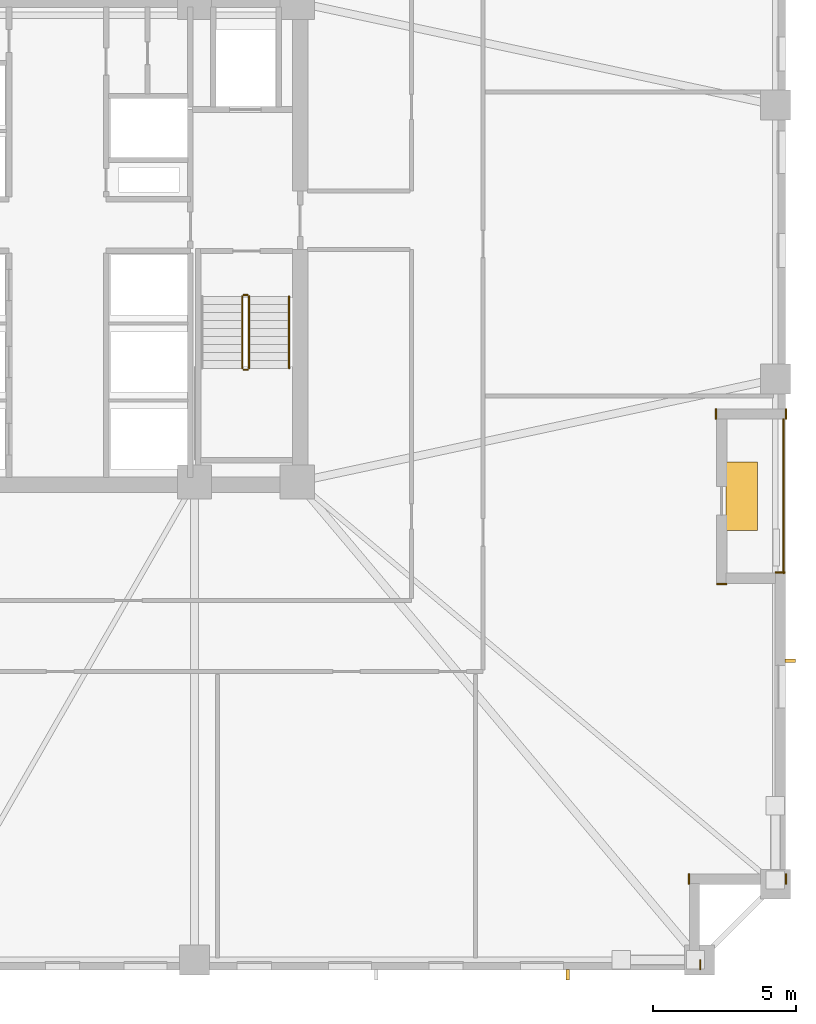
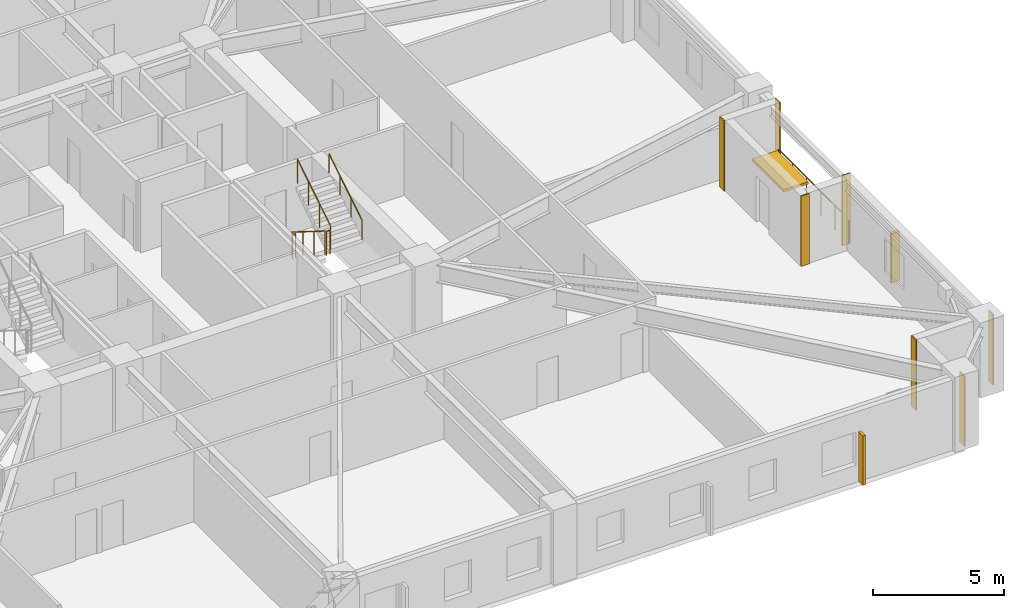
# One storey, part 9 of 11: 7 coverings, 6 railings, 3 shading devices.
"""IFC4 building model written with IfcOpenShell, lengths in metres."""

import ifcopenshell
import ifcopenshell.guid

model = None  # the IFC model being written
_history = None  # IfcOwnerHistory: only IFC2X3 demands one
_inside = {}  # id of a spatial element -> (the spatial element, [elements in it])
_under = {}  # id of a project, library or spatial element -> (it, [spatial elements below it])
_declared = {}  # id of a project -> (the project, [libraries it declares])
_typed = {}  # id of a type object -> (the type object, [elements of that type])
_made_of = {}  # id of a material, layer set ... -> (it, [elements and type objects made of it])


def new_model(schema):
    """Start an empty IFC model of exactly this schema.

    Asked for "IFC4X3", IfcOpenShell would pick the latest addendum, in which some entities
    have other attributes; the version numbers below select the first issue.
    IFC2X3 requires an IfcOwnerHistory on every rooted entity: one is made here for all.
    """
    global model, _history
    if schema == "IFC4X3":
        model = ifcopenshell.file(schema_version=(4, 3, 0, 0))
    else:
        model = ifcopenshell.file(schema=schema)
    _inside.clear()
    _under.clear()
    _declared.clear()
    _typed.clear()
    _made_of.clear()
    _history = None
    if model.schema == "IFC2X3":
        org = make("IfcOrganization", Name="unknown")
        user = make(
            "IfcPersonAndOrganization",
            ThePerson=make("IfcPerson", FamilyName="unknown"),
            TheOrganization=org,
        )
        app = make(
            "IfcApplication",
            ApplicationDeveloper=org,
            Version="unknown",
            ApplicationFullName="unknown",
            ApplicationIdentifier="unknown",
        )
        _history = make(
            "IfcOwnerHistory",
            OwningUser=user,
            OwningApplication=app,
            ChangeAction="ADDED",
            CreationDate=0,
        )
    return model


def make(cls, **values):
    """One entity of the class cls with the attributes given. An attribute that is None is left unset."""
    return model.create_entity(
        cls, **{name: value for name, value in values.items() if value is not None}
    )


def rooted(cls, **values):
    """An entity with a GlobalId (a new one), such as an element, a storey or a relation."""
    return make(cls, GlobalId=ifcopenshell.guid.new(), OwnerHistory=_history, **values)


def si_unit(unit_type, name, prefix=None):
    """IfcSIUnit, for example si_unit("LENGTHUNIT", "METRE", prefix="MILLI")."""
    return make("IfcSIUnit", UnitType=unit_type, Prefix=prefix, Name=name)


def assignment(units):
    """IfcUnitAssignment: the units of a project."""
    return None if units is None else make("IfcUnitAssignment", Units=units)


def point(xyz):
    """IfcCartesianPoint."""
    return None if xyz is None else make("IfcCartesianPoint", Coordinates=xyz)


def direction(xyz):
    """IfcDirection."""
    return None if xyz is None else make("IfcDirection", DirectionRatios=xyz)


def frame(location, z_axis=None, x_axis=None):
    """IfcAxis2Placement3D, a coordinate frame: its origin and axes. An axis left out is left unset."""
    return make(
        "IfcAxis2Placement3D",
        Location=point(location),
        Axis=direction(z_axis),
        RefDirection=direction(x_axis),
    )


def frame_2d(location, x_axis=None):
    """IfcAxis2Placement2D, a coordinate frame in the plane: its origin and x axis."""
    return make(
        "IfcAxis2Placement2D", Location=point(location), RefDirection=direction(x_axis)
    )


def origin():
    """The frame at (0, 0, 0) with its axes left unset."""
    return frame((0.0, 0.0, 0.0))


def origin_2d():
    """The frame at (0, 0) in the plane with its x axis left unset."""
    return frame_2d((0.0, 0.0))


def place(relative_to, where):
    """IfcLocalPlacement: puts the frame where relative to a parent placement (None: the world)."""
    return make(
        "IfcLocalPlacement", PlacementRelTo=relative_to, RelativePlacement=where
    )


def context(
    kind, dimensions, precision=None, world=None, true_north=None, identifier=None
):
    """IfcGeometricRepresentationContext, for example the 3D "Model" context."""
    return make(
        "IfcGeometricRepresentationContext",
        ContextIdentifier=identifier,
        ContextType=kind,
        CoordinateSpaceDimension=dimensions,
        Precision=precision,
        WorldCoordinateSystem=world,
        TrueNorth=true_north,
    )


def subcontext(parent, identifier, kind, view, scale=None):
    """IfcGeometricRepresentationSubContext, for example "Body" below "Model"."""
    return make(
        "IfcGeometricRepresentationSubContext",
        ContextIdentifier=identifier,
        ContextType=kind,
        ParentContext=parent,
        TargetScale=scale,
        TargetView=view,
    )


def project(units=None, contexts=None):
    """IfcProject with its units and contexts."""
    return rooted(
        "IfcProject",
        Name="project",
        RepresentationContexts=contexts,
        UnitsInContext=assignment(units),
    )


def spatial(cls, under=None, at=None, **own):
    """A site, building, storey or space (cls), placed at a placement, below another one or the project."""
    s = rooted(cls, ObjectPlacement=at, **own)
    if under is not None:
        _under.setdefault(under.id(), (under, []))[1].append(s)
    return s


def profile(cls, at=None, kind="AREA", **sizes):
    """A parametric profile (cls). Its sizes go by their IFC names, for example OverallWidth=200.0."""
    return make(cls, ProfileType=kind, Position=at, **sizes)


def rectangle(**sizes):
    """IfcRectangleProfileDef."""
    return profile("IfcRectangleProfileDef", **sizes)


def circle(**sizes):
    """IfcCircleProfileDef."""
    return profile("IfcCircleProfileDef", **sizes)


def extrude(swept, where, along, depth):
    """IfcExtrudedAreaSolid: the profile swept, set in the frame where, extruded along a direction by depth."""
    return make(
        "IfcExtrudedAreaSolid",
        SweptArea=swept,
        Position=where,
        ExtrudedDirection=direction(along),
        Depth=depth,
    )


def shape(context_of_items, identifier, shape_type, items):
    """IfcShapeRepresentation: the items that make up one representation, for example the "Body"."""
    return make(
        "IfcShapeRepresentation",
        ContextOfItems=context_of_items,
        RepresentationIdentifier=identifier,
        RepresentationType=shape_type,
        Items=items,
    )


def material(Name=None, Category=None):
    """IfcMaterial."""
    return make("IfcMaterial", Name=Name, Category=Category)


def layer(
    of_material, thickness, ventilated=None, Name=None, Category=None, Priority=None
):
    """IfcMaterialLayer: one layer of a wall or slab, of a material (None: an air gap)."""
    return make(
        "IfcMaterialLayer",
        Material=of_material,
        LayerThickness=thickness,
        IsVentilated=ventilated,
        Name=Name,
        Category=Category,
        Priority=Priority,
    )


def layer_set(layers, Name=None):
    """IfcMaterialLayerSet."""
    return make("IfcMaterialLayerSet", MaterialLayers=layers, LayerSetName=Name)


def made_of(thing, what):
    """Note that an element or type object is made of a material, layer set ...; save() writes the relation."""
    if what is not None:
        _made_of.setdefault(what.id(), (what, []))[1].append(thing)
    return thing


def type_object(cls, material=None, **own):
    """A type object (cls), such as IfcWallType, which elements share."""
    return made_of(rooted(cls, **own), material)


def element(
    cls,
    number,
    at=None,
    inside=None,
    cuts=None,
    type_object=None,
    material=None,
    context=None,
    identifier="Body",
    shape_type=None,
    held_by="IfcProductDefinitionShape",
    body=None,
    shapes=None,
    **own,
):
    """One element of the class cls, such as IfcWall. Its Tag is "e" and its number.

    at: its placement. inside: the storey or other place that contains it. cuts: it is an
    opening in that element (IfcRelVoidsElement). A single representation is given by context,
    identifier, shape_type and body (its items); several are given by shapes. held_by: the class
    of the entity that holds the representations. save() writes the other relations.
    """
    e = rooted(cls, Tag="e%d" % number, ObjectPlacement=at, **own)
    if body is not None:
        shapes = [shape(context, identifier, shape_type, body)]
    if shapes is not None:
        e.Representation = make(held_by, Representations=shapes)
    if inside is not None:
        _inside.setdefault(inside.id(), (inside, []))[1].append(e)
    if cuts is not None:
        rooted(
            "IfcRelVoidsElement", RelatingBuildingElement=cuts, RelatedOpeningElement=e
        )
    if type_object is not None:
        _typed.setdefault(type_object.id(), (type_object, []))[1].append(e)
    return made_of(e, material)


def aggregate(whole, parts):
    """IfcRelAggregates: a whole, such as a stair, and the parts it consists of."""
    return rooted("IfcRelAggregates", RelatingObject=whole, RelatedObjects=parts)


def save(model, path):
    """Write the relations noted so far, then the file.

    IfcRelAggregates (storeys below a building ...), IfcRelContainedInSpatialStructure (elements
    in a storey), IfcRelDefinesByType, IfcRelAssociatesMaterial and IfcRelDeclares: one each for
    every whole, place, type object, material and project.
    """
    for whole, parts in _under.values():
        aggregate(whole, parts)
    for where, things in _inside.values():
        rooted(
            "IfcRelContainedInSpatialStructure",
            RelatedElements=things,
            RelatingStructure=where,
        )
    for kind, things in _typed.values():
        rooted("IfcRelDefinesByType", RelatedObjects=things, RelatingType=kind)
    for what, things in _made_of.values():
        rooted("IfcRelAssociatesMaterial", RelatedObjects=things, RelatingMaterial=what)
    for by, libraries in _declared.values():
        rooted("IfcRelDeclares", RelatingContext=by, RelatedDefinitions=libraries)
    model.write(path)


model = new_model("IFC4")

# Units and contexts
model_context = context("Model", 3, precision=1e-05, world=origin(), true_north=direction((0.0, 1.0)))
body_context = subcontext(model_context, "Body", "Model", "MODEL_VIEW")
ifc_project = project(units=[si_unit("LENGTHUNIT", "METRE"), si_unit("AREAUNIT", "SQUARE_METRE"), si_unit("VOLUMEUNIT", "CUBIC_METRE"), si_unit("PLANEANGLEUNIT", "RADIAN"), si_unit("MASSUNIT", "GRAM", prefix="KILO")], contexts=[model_context])

# Site, building, storey
site_placement = place(None, origin())
site = spatial("IfcSite", under=ifc_project, at=site_placement, CompositionType="ELEMENT")
building_placement = place(site_placement, origin())
building = spatial("IfcBuilding", under=site, at=building_placement, Name="Cairnveth Concourse Tower", CompositionType="ELEMENT")
storey_placement = place(building_placement, frame((0.0, 0.0, 58.5)))
storey = spatial("IfcBuildingStorey", under=building, at=storey_placement, Name="L15", CompositionType="ELEMENT", Elevation=58.5)

# Coverings
ifc_material_1 = material(Name="Dressed Melbourne Bluestone Cladding", Category="masonry")
ifc_layer = layer(ifc_material_1, 0.050048828125)
ifc_layer_set = layer_set([ifc_layer], Name="Dressed Melbourne Bluestone Cladding")
covering_type = type_object("IfcCoveringType", Name="DRESSED BLUESTONE PLINTH CLADDING 50", PredefinedType="CLADDING", material=ifc_layer_set)
for number, where, z_axis, x_axis, name in (
    (1, (77.139892578125, 27.419921875, 0.0), (0.0, 0.0, 1.0), (1.0, 0.0, 0.0), "Melbourne Bluestone Corner Quoin L15-183"),
    (2, (77.52001953125, 16.860107421875, 0.0), (0.0, 0.0, 1.0), (0.0, -1.0, 0.0), "Melbourne Bluestone Corner Quoin L15-184"),
    (3, (74.1201171875, 16.860107421875, 0.0), (0.0, 0.0, 1.0), (0.0, -1.0, 0.0), "Melbourne Bluestone Corner Quoin L15-185"),
    (4, (74.52001953125, 13.860107421875, 0.0), (0.0, 0.0, 1.0), (0.0, -1.0, 0.0), "Melbourne Bluestone Corner Quoin L15-186"),
):
    element("IfcCovering", number, at=place(storey_placement, frame(where, z_axis=z_axis, x_axis=x_axis)), inside=storey, type_object=covering_type, Name=name, PredefinedType="CLADDING", context=body_context, shape_type="SweptSolid", body=[
        extrude(rectangle(XDim=0.360107421875, YDim=0.050048828125, at=frame_2d((0.18017578125, 0.0))), origin(), (0.0, 0.0, 1.0), 3.280029296875),
    ])
for number, where, z_axis, x_axis, name in (
    (5, (77.52001953125, 33.159912109375, 0.0), (0.0, 0.0, 1.0), (0.0, -1.0, 0.0), "Melbourne Bluestone Corner Quoin L15-196"),
    (6, (75.070068359375, 33.159912109375, 0.0), (0.0, 0.0, 1.0), (0.0, -1.0, 0.0), "Melbourne Bluestone Corner Quoin L15-197"),
    (7, (75.090087890625, 27.02001953125, 0.0), (0.0, 0.0, 1.0), (1.0, 0.0, 0.0), "Melbourne Bluestone Corner Quoin L15-198"),
):
    element("IfcCovering", number, at=place(storey_placement, frame(where, z_axis=z_axis, x_axis=x_axis)), inside=storey, type_object=covering_type, Name=name, PredefinedType="CLADDING", context=body_context, shape_type="SweptSolid", body=[
        extrude(rectangle(XDim=0.35986328125, YDim=0.050048828125, at=frame_2d((0.179931640625, 0.0))), origin(), (0.0, 0.0, 1.0), 3.280029296875),
    ])

# Shading devices
ifc_material_2 = material(Name="Architectural Bronze Anodised Aluminium 6063-T6", Category="aluminium")
shading_device_type_1 = type_object("IfcShadingDeviceType", Name="GOTHIC BRONZE VERTICAL LANCET FIN", PredefinedType="USERDEFINED", material=ifc_material_2)
for number, where, z_axis, x_axis, name in (
    (8, (77.675048828125, 24.3291015625, 0.02978515625), (0.0, 0.0, 1.0), (0.0, 1.0, 0.0), "Gothic Bronze Vertical Fin L15-0-1"),
    (9, (69.8798828125, 13.324951171875, 0.02978515625), (0.0, 0.0, 1.0), (1.0, 0.0, 0.0), "Gothic Bronze Vertical Fin L15-3-1"),
):
    element("IfcShadingDevice", number, at=place(storey_placement, frame(where, z_axis=z_axis, x_axis=x_axis)), inside=storey, type_object=shading_device_type_1, Name=name, ObjectType="VERTICAL FIN", PredefinedType="USERDEFINED", context=body_context, shape_type="SweptSolid", body=[
        extrude(rectangle(XDim=0.1201171875, YDim=0.360107421875, at=origin_2d()), origin(), (0.0, 0.0, 1.0), 2.303955078125),
    ])
shading_device_type_2 = type_object("IfcShadingDeviceType", Name="SPIRAL TERRACE SUNSHADE CANOPY", PredefinedType="USERDEFINED", material=ifc_material_2)
shading_device_placement = place(storey_placement, frame((75.969970703125, 30.10009765625, 2.183837890625), z_axis=(0.0, 0.0, 1.0), x_axis=(1.0, 0.0, 0.0)))
element("IfcShadingDevice", 10, at=shading_device_placement, inside=storey, type_object=shading_device_type_2, Name="Spiral Terrace Sunshade L15", ObjectType="TERRACE SUNSHADE", PredefinedType="USERDEFINED", context=body_context, shape_type="SweptSolid", body=[
    extrude(rectangle(XDim=1.10009765625, YDim=2.39990234375, at=origin_2d()), origin(), (0.0, 0.0, 1.0), 0.1201171875),
])

# Railings
ifc_material_3 = material(Name="Steel Grade 350", Category="steel")
railing_type_1 = type_object("IfcRailingType", Name="STAIR GUARDRAIL 1150", PredefinedType="GUARDRAIL", material=ifc_material_3)
railing_1_placement = place(storey_placement, frame((58.469970703125, 37.10009765625, 0.175048828125)))
element("IfcRailing", 11, at=railing_1_placement, inside=storey, type_object=railing_type_1, Name="L15 ST-2 stair guard 1", PredefinedType="GUARDRAIL", context=body_context, shape_type="SweptSolid", body=[
    extrude(circle(Radius=0.02392578125, at=origin_2d()), frame((0.0, 0.0, 1.1259765625), z_axis=(0.0, -0.848007534815, 0.529984170421), x_axis=(1.0, 0.0, 0.0)), (0.0, 0.0, 1.0), 2.9716796875),
    extrude(circle(Radius=0.02099609375, at=origin_2d()), origin(), (0.0, 0.0, 1.0), 1.101806640625),
    extrude(circle(Radius=0.02099609375, at=origin_2d()), frame((0.0, -0.840087890625, 0.52490234375)), (0.0, 0.0, 1.0), 1.101806640625),
    extrude(circle(Radius=0.02099609375, at=origin_2d()), frame((0.0, -1.679931640625, 1.050048828125)), (0.0, 0.0, 1.0), 1.101806640625),
    extrude(circle(Radius=0.02099609375, at=origin_2d()), frame((0.0, -2.52001953125, 1.574951171875)), (0.0, 0.0, 1.0), 1.101806640625),
])
railing_2_placement = place(storey_placement, frame((58.52001953125, 34.530029296875, 1.75)))
element("IfcRailing", 12, at=railing_2_placement, inside=storey, type_object=railing_type_1, Name="L15 ST-2 stair guard 2", PredefinedType="GUARDRAIL", context=body_context, shape_type="SweptSolid", body=[
    extrude(circle(Radius=0.02392578125, at=origin_2d()), frame((0.0, 0.0, 1.1259765625), z_axis=(1.0, 0.0, 0.0), x_axis=(0.0, 1.0, 0.0)), (0.0, 0.0, 1.0), 0.139892578125),
    extrude(circle(Radius=0.02099609375, at=origin_2d()), origin(), (0.0, 0.0, 1.0), 1.101806640625),
    extrude(circle(Radius=0.02099609375, at=origin_2d()), frame((0.139892578125, 0.0, 0.0)), (0.0, 0.0, 1.0), 1.101806640625),
])
railing_3_placement = place(storey_placement, frame((58.7099609375, 34.580078125, 1.925048828125)))
element("IfcRailing", 13, at=railing_3_placement, inside=storey, type_object=railing_type_1, Name="L15 ST-2 stair guard 3", PredefinedType="GUARDRAIL", context=body_context, shape_type="SweptSolid", body=[
    extrude(circle(Radius=0.02392578125, at=origin_2d()), frame((0.0, 0.0, 1.1259765625), z_axis=(0.0, 0.848007534815, 0.529984170421), x_axis=(-1.0, 0.0, 0.0)), (0.0, 0.0, 1.0), 2.9716796875),
    extrude(circle(Radius=0.02099609375, at=origin_2d()), origin(), (0.0, 0.0, 1.0), 1.101806640625),
    extrude(circle(Radius=0.02099609375, at=origin_2d()), frame((0.0, 0.840087890625, 0.52490234375)), (0.0, 0.0, 1.0), 1.101806640625),
    extrude(circle(Radius=0.02099609375, at=origin_2d()), frame((0.0, 1.679931640625, 1.050048828125)), (0.0, 0.0, 1.0), 1.101806640625),
    extrude(circle(Radius=0.02099609375, at=origin_2d()), frame((0.0, 2.52001953125, 1.574951171875)), (0.0, 0.0, 1.0), 1.101806640625),
])
railing_4_placement = place(storey_placement, frame((58.52001953125, 37.14990234375, 0.0)))
element("IfcRailing", 14, at=railing_4_placement, inside=storey, type_object=railing_type_1, Name="L15 ST-2 stair guard 4", PredefinedType="GUARDRAIL", context=body_context, shape_type="SweptSolid", body=[
    extrude(circle(Radius=0.02392578125, at=origin_2d()), frame((0.0, 0.0, 1.1259765625), z_axis=(1.0, 0.0, 0.0), x_axis=(0.0, 1.0, 0.0)), (0.0, 0.0, 1.0), 0.139892578125),
    extrude(circle(Radius=0.02099609375, at=origin_2d()), origin(), (0.0, 0.0, 1.0), 1.101806640625),
    extrude(circle(Radius=0.02099609375, at=origin_2d()), frame((0.139892578125, 0.0, 0.0)), (0.0, 0.0, 1.0), 1.101806640625),
])
railing_type_2 = type_object("IfcRailingType", Name="STAIR WALL HANDRAIL 900", PredefinedType="HANDRAIL", material=ifc_material_3)
railing_5_placement = place(storey_placement, frame((60.110107421875, 34.580078125, 1.925048828125)))
element("IfcRailing", 15, at=railing_5_placement, inside=storey, type_object=railing_type_2, Name="L15 ST-2 stair handrail 2", PredefinedType="HANDRAIL", context=body_context, shape_type="SweptSolid", body=[
    extrude(circle(Radius=0.02392578125, at=origin_2d()), frame((0.0, 0.0, 0.8759765625), z_axis=(0.0, 0.848007534815, 0.529984170421), x_axis=(-1.0, 0.0, 0.0)), (0.0, 0.0, 1.0), 2.9716796875),
    extrude(circle(Radius=0.02099609375, at=origin_2d()), origin(), (0.0, 0.0, 1.0), 0.851806640625),
    extrude(circle(Radius=0.02099609375, at=origin_2d()), frame((0.0, 0.840087890625, 0.52490234375)), (0.0, 0.0, 1.0), 0.851806640625),
    extrude(circle(Radius=0.02099609375, at=origin_2d()), frame((0.0, 1.679931640625, 1.050048828125)), (0.0, 0.0, 1.0), 0.851806640625),
    extrude(circle(Radius=0.02099609375, at=origin_2d()), frame((0.0, 2.52001953125, 1.574951171875)), (0.0, 0.0, 1.0), 0.851806640625),
])
railing_type_3 = type_object("IfcRailingType", Name="TERRACE BRONZE BALUSTRADE 1150", PredefinedType="BALUSTRADE", material=ifc_material_2)
railing_6_placement = place(storey_placement, frame((77.43994140625, 27.39990234375, 0.0)))
element("IfcRailing", 16, at=railing_6_placement, inside=storey, type_object=railing_type_3, Name="Terrace Balustrade RL-L15-TERR", PredefinedType="BALUSTRADE", context=body_context, shape_type="SweptSolid", body=[
    extrude(circle(Radius=0.02490234375, at=origin_2d()), frame((0.0, 0.0, 1.125), z_axis=(0.0, 1.0, 0.0), x_axis=(-1.0, 0.0, 0.0)), (0.0, 0.0, 1.0), 5.400146484375),
    extrude(circle(Radius=0.02099609375, at=origin_2d()), origin(), (0.0, 0.0, 1.0), 1.099853515625),
    extrude(circle(Radius=0.02099609375, at=origin_2d()), frame((0.0, 1.080078125, 0.0)), (0.0, 0.0, 1.0), 1.099853515625),
    extrude(circle(Radius=0.02099609375, at=origin_2d()), frame((0.0, 2.16015625, 0.0)), (0.0, 0.0, 1.0), 1.099853515625),
    extrude(circle(Radius=0.02099609375, at=origin_2d()), frame((0.0, 3.239990234375, 0.0)), (0.0, 0.0, 1.0), 1.099853515625),
    extrude(circle(Radius=0.02099609375, at=origin_2d()), frame((0.0, 4.320068359375, 0.0)), (0.0, 0.0, 1.0), 1.099853515625),
    extrude(circle(Radius=0.02099609375, at=origin_2d()), frame((0.0, 5.400146484375, 0.0)), (0.0, 0.0, 1.0), 1.099853515625),
])

save(model, "model.ifc")
